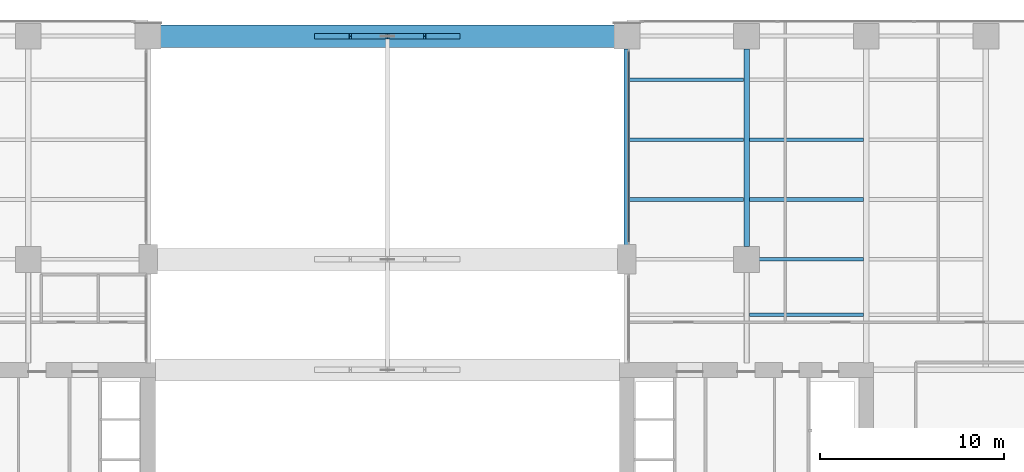
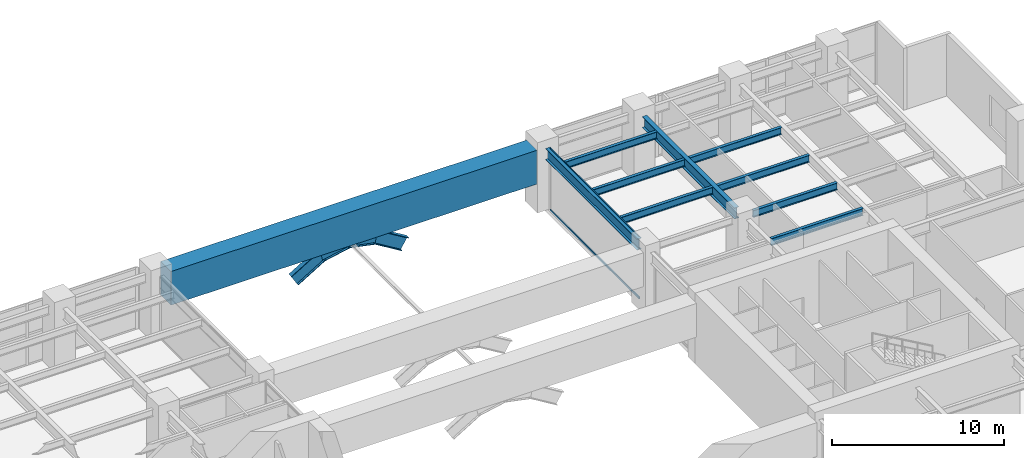
# One storey, part 8 of 23: 10 beams, 6 members, 1 element without a shape of its own.
"""IFC4 building model written with IfcOpenShell, lengths in metres."""

from ifc_helpers import new_model, si_unit, direction, frame, origin, origin_2d, place, context, subcontext, project, spatial, rectangle, i_section, extrude, material, layer, layer_set, material_profile, profile_set, type_object, element, aggregate, save


model = new_model("IFC4")

# Units and contexts
model_context = context("Model", 3, precision=1e-05, world=origin(), true_north=direction((0.0, 1.0)))
body_context = subcontext(model_context, "Body", "Model", "MODEL_VIEW")
ifc_project = project(units=[si_unit("LENGTHUNIT", "METRE"), si_unit("AREAUNIT", "SQUARE_METRE"), si_unit("VOLUMEUNIT", "CUBIC_METRE"), si_unit("PLANEANGLEUNIT", "RADIAN"), si_unit("MASSUNIT", "GRAM", prefix="KILO")], contexts=[model_context])

# Site, building, storey
site_placement = place(None, origin())
site = spatial("IfcSite", under=ifc_project, at=site_placement, CompositionType="ELEMENT")
building_placement = place(site_placement, origin())
building = spatial("IfcBuilding", under=site, at=building_placement, Name="Putna Gate Headquarters", CompositionType="ELEMENT")
storey_placement = place(building_placement, frame((0.0, 0.0, 17.0)))
storey = spatial("IfcBuildingStorey", under=building, at=storey_placement, Name="L03", CompositionType="ELEMENT", Elevation=17.0)

# Beams
ifc_material_1 = material(Name="Steel S355J2", Category="steel")
ifc_material_profile_1 = material_profile(ifc_material_1, i_section(OverallWidth=0.300048828125, OverallDepth=0.800048828125, WebThickness=0.017578125, FlangeThickness=0.032958984375, at=origin_2d()), Name="Steel S355J2")
ifc_profile_set_1 = profile_set([ifc_material_profile_1], Name="Steel S355J2")
beam_type_1 = type_object("IfcBeamType", Name="BM-GIRD-P-HEB800", PredefinedType="USERDEFINED", material=ifc_profile_set_1)
beam_1_placement = place(storey_placement, frame((52.0, 39.7880859375, 4.0), z_axis=(0.0, 1.0, 0.0), x_axis=(-1.0, 0.0, 0.0)))
element("IfcBeam", 1, at=beam_1_placement, inside=storey, type_object=beam_type_1, Name="L03 North Primary Girder X52-2", ObjectType="GIRDER", PredefinedType="USERDEFINED", context=body_context, shape_type="SweptSolid", body=[
    extrude(i_section(OverallWidth=0.300048828125, OverallDepth=0.800048828125, WebThickness=0.017578125, FlangeThickness=0.032958984375, at=origin_2d()), origin(), (0.0, 0.0, 1.0), 10.643798828125),
])
beam_2_placement = place(storey_placement, frame((58.5, 39.68798828125, 4.0), z_axis=(0.0, 1.0, 0.0), x_axis=(-1.0, 0.0, 0.0)))
element("IfcBeam", 2, at=beam_2_placement, inside=storey, type_object=beam_type_1, Name="L03 North Primary Girder X58-2", ObjectType="GIRDER", PredefinedType="USERDEFINED", context=body_context, shape_type="SweptSolid", body=[
    extrude(i_section(OverallWidth=0.300048828125, OverallDepth=0.800048828125, WebThickness=0.017578125, FlangeThickness=0.032958984375, at=origin_2d()), origin(), (0.0, 0.0, 1.0), 10.743896484375),
])
ifc_material_profile_2 = material_profile(ifc_material_1, i_section(OverallWidth=0.199951171875, OverallDepth=0.5, WebThickness=0.01025390625, FlangeThickness=0.01611328125, at=origin_2d()), Name="Steel S355J2")
ifc_profile_set_2 = profile_set([ifc_material_profile_2], Name="Steel S355J2")
beam_type_2 = type_object("IfcBeamType", Name="BM-SEC-P-IPE500", PredefinedType="BEAM", material=ifc_profile_set_2)
for number, where, z_axis, x_axis, name in (
    (3, (52.154052734375, 42.25, 4.14990234375), (1.0, 0.0, 0.0), (0.0, 1.0, 0.0), "L03 North Secondary Beam 5"),
    (4, (52.154052734375, 45.5, 4.14990234375), (1.0, 0.0, 0.0), (0.0, 1.0, 0.0), "L03 North Secondary Beam 5"),
    (5, (52.154052734375, 48.75, 4.14990234375), (1.0, 0.0, 0.0), (0.0, 1.0, 0.0), "L03 North Secondary Beam 5"),
    (6, (58.654052734375, 36.0, 4.14990234375), (1.0, 0.0, 0.0), (0.0, 1.0, 0.0), "L03 North Secondary Beam 6"),
):
    element("IfcBeam", number, at=place(storey_placement, frame(where, z_axis=z_axis, x_axis=x_axis)), inside=storey, type_object=beam_type_2, Name=name, PredefinedType="BEAM", context=body_context, shape_type="SweptSolid", body=[
        extrude(i_section(OverallWidth=0.199951171875, OverallDepth=0.5, WebThickness=0.01025390625, FlangeThickness=0.01611328125, at=origin_2d()), origin(), (0.0, 0.0, 1.0), 6.19189453125),
    ])
beam_3_placement = place(storey_placement, frame((59.18798828125, 39.0, 4.14990234375), z_axis=(1.0, 0.0, 0.0), x_axis=(0.0, 1.0, 0.0)))
element("IfcBeam", 7, at=beam_3_placement, inside=storey, type_object=beam_type_2, Name="L03 North Secondary Beam 6", PredefinedType="BEAM", context=body_context, shape_type="SweptSolid", body=[
    extrude(i_section(OverallWidth=0.199951171875, OverallDepth=0.5, WebThickness=0.01025390625, FlangeThickness=0.01611328125, at=origin_2d()), origin(), (0.0, 0.0, 1.0), 5.657958984375),
])
for number, where, z_axis, x_axis, name in (
    (8, (58.654052734375, 42.25, 4.14990234375), (1.0, 0.0, 0.0), (0.0, 1.0, 0.0), "L03 North Secondary Beam 6"),
    (9, (58.654052734375, 45.5, 4.14990234375), (1.0, 0.0, 0.0), (0.0, 1.0, 0.0), "L03 North Secondary Beam 6"),
):
    element("IfcBeam", number, at=place(storey_placement, frame(where, z_axis=z_axis, x_axis=x_axis)), inside=storey, type_object=beam_type_2, Name=name, PredefinedType="BEAM", context=body_context, shape_type="SweptSolid", body=[
        extrude(i_section(OverallWidth=0.199951171875, OverallDepth=0.5, WebThickness=0.01025390625, FlangeThickness=0.01611328125, at=origin_2d()), origin(), (0.0, 0.0, 1.0), 6.19189453125),
    ])
ifc_material_2 = material(Name="Concrete C50/60", Category="concrete")
ifc_material_profile_3 = material_profile(ifc_material_2, rectangle(XDim=1.199951171875, YDim=2.39990234375, at=origin_2d()), Name="Concrete C50/60")
ifc_profile_set_3 = profile_set([ifc_material_profile_3], Name="Concrete C50/60")
beam_type_3 = type_object("IfcBeamType", Name="BM-TG-RC2400-EXT", PredefinedType="USERDEFINED", material=ifc_profile_set_3)
beam_4_placement = place(storey_placement, frame((26.679931640625, 51.1201171875, 3.199951171875), z_axis=(1.0, 0.0, 0.0), x_axis=(0.0, 1.0, 0.0)))
element("IfcBeam", 10, at=beam_4_placement, inside=storey, type_object=beam_type_3, Name="L03 Giant Arch Transfer Girder N", ObjectType="GIRDER", PredefinedType="USERDEFINED", context=body_context, shape_type="SweptSolid", body=[
    extrude(rectangle(XDim=1.199951171875, YDim=2.39990234375, at=origin_2d()), origin(), (0.0, 0.0, 1.0), 24.64013671875),
])

# Members
ifc_material_3 = material(Name="Steel S460M", Category="steel")
ifc_material_profile_4 = material_profile(ifc_material_3, i_section(OverallWidth=0.302001953125, OverallDepth=0.909912109375, WebThickness=0.02099609375, FlangeThickness=0.0400390625, at=origin_2d()), Name="Steel S460M")
ifc_profile_set_4 = profile_set([ifc_material_profile_4], Name="Steel S460M")
member_type_1 = type_object("IfcMemberType", Name="MEM-ARCH-CHORD-HEM900", PredefinedType="STRUT", material=ifc_profile_set_4)
member_1_placement = place(storey_placement, frame((35.28564453125, 51.1201171875, 0.447998046875), z_axis=(0.855013592355, 0.0, 0.518605588948), x_axis=(0.0, 1.0, 0.0)))
element("IfcMember", 11, at=member_1_placement, inside=storey, type_object=member_type_1, Name="Giant Parabolic Arch Chord N-6", PredefinedType="STRUT", context=body_context, shape_type="SweptSolid", body=[
    extrude(i_section(OverallWidth=0.302001953125, OverallDepth=0.909912109375, WebThickness=0.02099609375, FlangeThickness=0.0400390625, at=origin_2d()), origin(), (0.0, 0.0, 1.0), 2.172119140625),
])
for number, where, z_axis, x_axis, name in (
    (12, (37.142822265625, 51.1201171875, 1.574462890625), (0.980167187845, 0.0, 0.198172358999), (0.0, 1.0, 0.0), "Giant Parabolic Arch Chord N-7"),
    (13, (39.0, 51.1201171875, 1.949951171875), (0.980167187845, 0.0, -0.198172358999), (0.0, 1.0, 0.0), "Giant Parabolic Arch Chord N-8"),
):
    element("IfcMember", number, at=place(storey_placement, frame(where, z_axis=z_axis, x_axis=x_axis)), inside=storey, type_object=member_type_1, Name=name, PredefinedType="STRUT", context=body_context, shape_type="SweptSolid", body=[
        extrude(i_section(OverallWidth=0.302001953125, OverallDepth=0.909912109375, WebThickness=0.02099609375, FlangeThickness=0.0400390625, at=origin_2d()), origin(), (0.0, 0.0, 1.0), 1.894775390625),
    ])
member_2_placement = place(storey_placement, frame((40.857177734375, 51.1201171875, 1.574462890625), z_axis=(0.855013592355, 0.0, -0.518605588948), x_axis=(0.0, 1.0, 0.0)))
element("IfcMember", 14, at=member_2_placement, inside=storey, type_object=member_type_1, Name="Giant Parabolic Arch Chord N-9", PredefinedType="STRUT", context=body_context, shape_type="SweptSolid", body=[
    extrude(i_section(OverallWidth=0.302001953125, OverallDepth=0.909912109375, WebThickness=0.02099609375, FlangeThickness=0.0400390625, at=origin_2d()), origin(), (0.0, 0.0, 1.0), 2.172119140625),
])

# Curtain wall, members
ifc_material_4 = material(Name="Anodised bronze aluminium curtain wall", Category="aluminium")
ifc_layer = layer(ifc_material_4, 0.179931640625)
ifc_layer_set = layer_set([ifc_layer], Name="Anodised bronze aluminium curtain wall")
curtain_wall_type = type_object("IfcCurtainWallType", Name="CW-SYS-ATR", PredefinedType="USERDEFINED", material=ifc_layer_set)
curtain_wall_placement = place(storey_placement, origin())
curtain_wall = element("IfcCurtainWall", 15, at=curtain_wall_placement, inside=storey, type_object=curtain_wall_type, Name="L03 Arch Flank Glazing E-N2", ObjectType="ATRIUM GLAZING", PredefinedType="USERDEFINED")
ifc_material_5 = material(Name="Anodised bronze aluminium EN AW-6060", Category="aluminium")
ifc_material_profile_5 = material_profile(ifc_material_5, rectangle(XDim=0.070068359375, YDim=0.139892578125, at=origin_2d()), Name="Anodised bronze aluminium EN AW-6060")
ifc_profile_set_5 = profile_set([ifc_material_profile_5], Name="Anodised bronze aluminium EN AW-6060")
member_type_2 = type_object("IfcMemberType", Name="TRAN-CWT-AT", PredefinedType="USERDEFINED", material=ifc_profile_set_5)
member_3_placement = place(storey_placement, frame((52.10009765625, 39.949951171875, 0.034912109375), z_axis=(0.0, 1.0, 0.0), x_axis=(-1.0, 0.0, 0.0)))
member_3 = element("IfcMember", 16, at=member_3_placement, type_object=member_type_2, Name="CWS-AT transom 1.1", ObjectType="TRANSOM", PredefinedType="USERDEFINED", context=body_context, shape_type="SweptSolid", body=[
    extrude(rectangle(XDim=0.070068359375, YDim=0.139892578125, at=origin_2d()), origin(), (0.0, 0.0, 1.0), 10.330078125),
])
member_4_placement = place(storey_placement, frame((52.10009765625, 39.949951171875, 4.364990234375), z_axis=(0.0, 1.0, 0.0), x_axis=(-1.0, 0.0, 0.0)))
member_4 = element("IfcMember", 17, at=member_4_placement, type_object=member_type_2, Name="CWS-AT transom 1.2", ObjectType="TRANSOM", PredefinedType="USERDEFINED", context=body_context, shape_type="SweptSolid", body=[
    extrude(rectangle(XDim=0.070068359375, YDim=0.139892578125, at=origin_2d()), origin(), (0.0, 0.0, 1.0), 10.330078125),
])
aggregate(curtain_wall, [member_3, member_4])

save(model, "model.ifc")
